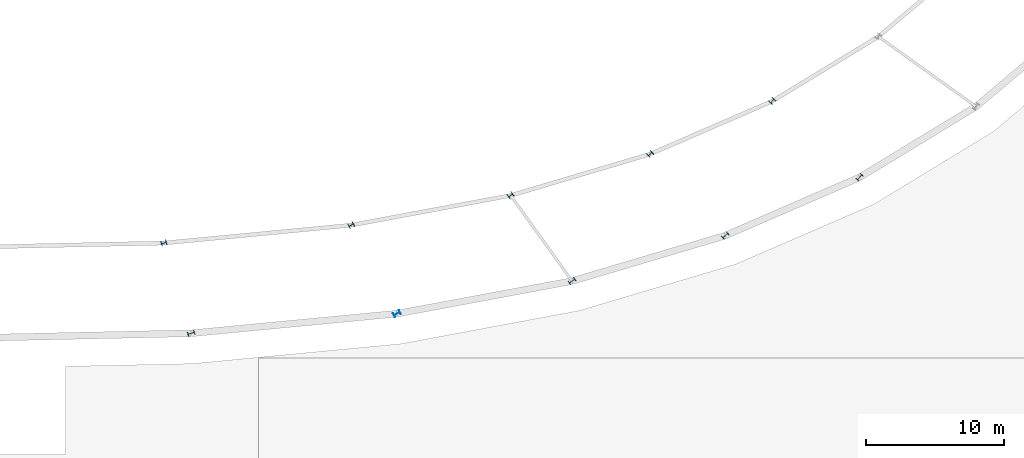
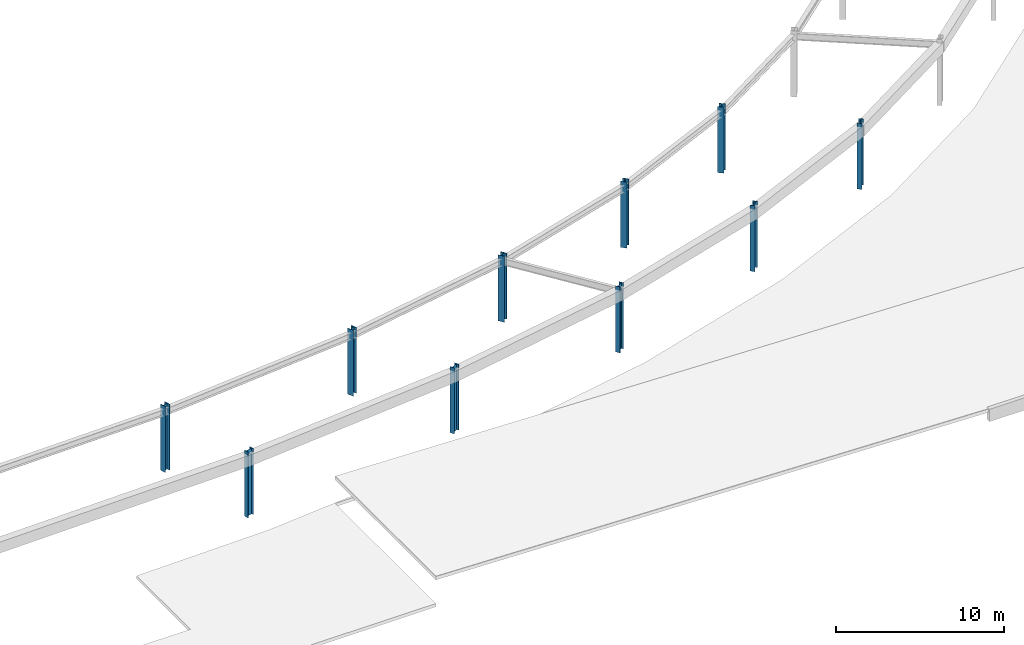
# One storey, part 5 of 45: 10 columns.
"""IFC4 building model written with IfcOpenShell, lengths in metres."""

from ifc_helpers import new_model, si_unit, direction, frame, origin, origin_2d, place, context, subcontext, project, spatial, i_section, extrude, material, material_profile, profile_set, type_object, element, save


model = new_model("IFC4")

# Units and contexts
model_context = context("Model", 3, precision=1e-05, world=origin(), true_north=direction((0.0, 1.0)))
body_context = subcontext(model_context, "Body", "Model", "MODEL_VIEW")
ifc_project = project(units=[si_unit("LENGTHUNIT", "METRE"), si_unit("AREAUNIT", "SQUARE_METRE"), si_unit("VOLUMEUNIT", "CUBIC_METRE"), si_unit("PLANEANGLEUNIT", "RADIAN"), si_unit("MASSUNIT", "GRAM", prefix="KILO")], contexts=[model_context])

# Site, building, storey
site_placement = place(None, origin())
site = spatial("IfcSite", under=ifc_project, at=site_placement, CompositionType="ELEMENT")
building_placement = place(site_placement, origin())
building = spatial("IfcBuilding", under=site, at=building_placement, Name="Mphavela Belvedere Stadium", CompositionType="ELEMENT")
storey_placement = place(building_placement, frame((0.0, 0.0, 24.0)))
storey = spatial("IfcBuildingStorey", under=building, at=storey_placement, Name="L05", CompositionType="ELEMENT", Elevation=24.0)

# Columns
ifc_material_1 = material(Name="Steel S355", Category="steel")
ifc_material_profile_1 = material_profile(ifc_material_1, i_section(OverallWidth=0.39501953125, OverallDepth=0.3798828125, WebThickness=0.0166015625, FlangeThickness=0.02587890625, at=origin_2d()), Name="HD 400x237")
ifc_profile_set_1 = profile_set([ifc_material_profile_1], Name="Steel S355")
column_type_1 = type_object("IfcColumnType", Name="COL-STEEL-HD400", PredefinedType="COLUMN", material=ifc_profile_set_1)
for number, where, z_axis, x_axis, name in (
    (1, (135.1328125, 20.365966796875, 0.0), (0.0, 0.0, 1.0), (0.289198876314, -0.957269037387, 0.0), "Main bowl column L05 R3-38"),
    (2, (148.750244140625, 21.66455078125, 0.0), (0.0, 0.0, 1.0), (0.458959712465, -0.888457079624, 0.0), "Main bowl column L05 R3-39"),
    (3, (160.337890625, 23.822509765625, 0.0), (0.0, 0.0, 1.0), (0.582974127943, -0.812490717577, 0.0), "Main bowl column L05 R3-40"),
    (4, (170.476318359375, 26.83203125, 0.0), (0.0, 0.0, 1.0), (0.677903094969, -0.735151272753, 0.0), "Main bowl column L05 R3-41"),
    (5, (179.360107421875, 30.68310546875, 0.0), (0.0, 0.0, 1.0), (0.752529860433, -0.658558128912, 0.0), "Main bowl column L05 R3-42"),
):
    element("IfcColumn", number, at=place(storey_placement, frame(where, z_axis=z_axis, x_axis=x_axis)), inside=storey, type_object=column_type_1, Name=name, PredefinedType="COLUMN", context=body_context, shape_type="SweptSolid", body=[
        extrude(i_section(OverallWidth=0.39501953125, OverallDepth=0.3798828125, WebThickness=0.0166015625, FlangeThickness=0.02587890625, at=origin_2d()), origin(), (0.0, 0.0, 1.0), 4.800048828125),
    ])
ifc_material_2 = material(Name="Steel S355", Category="steel")
ifc_material_profile_2 = material_profile(ifc_material_2, i_section(OverallWidth=0.300048828125, OverallDepth=0.5, WebThickness=0.014404296875, FlangeThickness=0.028076171875, at=origin_2d()), Name="HEB 500")
ifc_profile_set_2 = profile_set([ifc_material_profile_2], Name="Steel S355")
column_type_2 = type_object("IfcColumnType", Name="COL-STEEL-HEB500", PredefinedType="COLUMN", material=ifc_profile_set_2)
for number, where, z_axis, x_axis, name in (
    (6, (137.114501953125, 13.80615234375, 0.0), (0.0, 0.0, 1.0), (0.289198876314, -0.957269037387, 0.0), "Outer colonnade column L05 R4-38"),
    (7, (152.07275390625, 15.232666015625, 0.0), (0.0, 0.0, 1.0), (0.458959712465, -0.888457079624, 0.0), "Outer colonnade column L05 R4-39"),
    (8, (164.80126953125, 17.60302734375, 0.0), (0.0, 0.0, 1.0), (0.582974127943, -0.812490717577, 0.0), "Outer colonnade column L05 R4-40"),
    (9, (175.9375, 20.90869140625, 0.0), (0.0, 0.0, 1.0), (0.677903094969, -0.735151272753, 0.0), "Outer colonnade column L05 R4-41"),
    (10, (185.6962890625, 25.13916015625, 0.0), (0.0, 0.0, 1.0), (0.752529860433, -0.658558128912, 0.0), "Outer colonnade column L05 R4-42"),
):
    element("IfcColumn", number, at=place(storey_placement, frame(where, z_axis=z_axis, x_axis=x_axis)), inside=storey, type_object=column_type_2, Name=name, PredefinedType="COLUMN", context=body_context, shape_type="SweptSolid", body=[
        extrude(i_section(OverallWidth=0.300048828125, OverallDepth=0.5, WebThickness=0.014404296875, FlangeThickness=0.028076171875, at=origin_2d()), origin(), (0.0, 0.0, 1.0), 4.800048828125),
    ])

save(model, "model.ifc")
